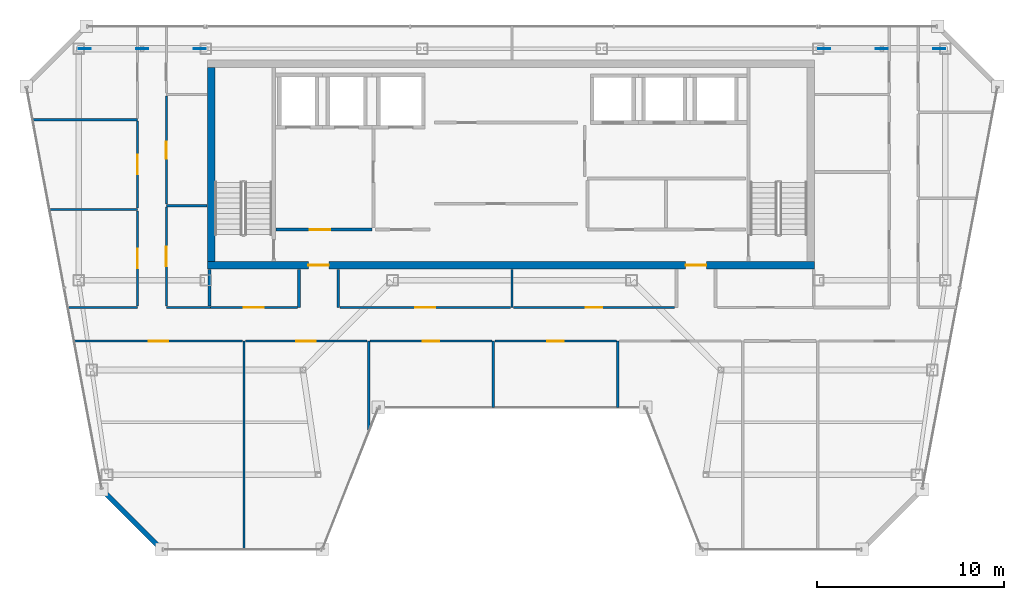
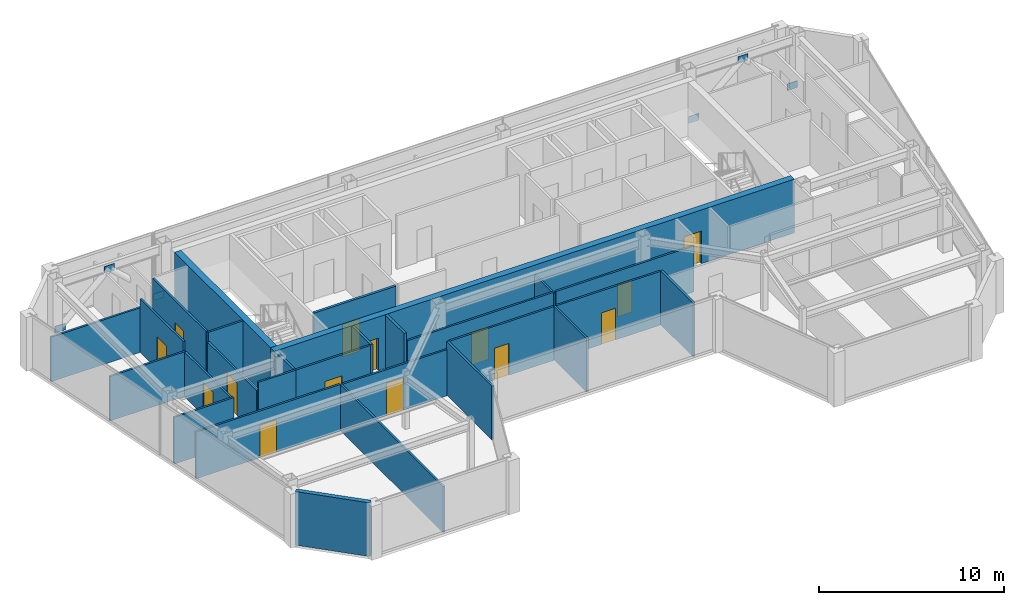
# One storey, part 18 of 23: 28 walls, 14 doors, 6 plates, 14 openings.
"""IFC4 building model written with IfcOpenShell, lengths in metres."""

from ifc_helpers import new_model, si_unit, direction, frame, frame_2d, origin, origin_2d, place, context, subcontext, project, spatial, rectangle, extrude, material, layer, layer_set, type_object, element, fill, save


model = new_model("IFC4")

# Units and contexts
model_context = context("Model", 3, precision=1e-05, world=origin(), true_north=direction((0.0, 1.0)))
body_context = subcontext(model_context, "Body", "Model", "MODEL_VIEW")
ifc_project = project(units=[si_unit("LENGTHUNIT", "METRE"), si_unit("AREAUNIT", "SQUARE_METRE"), si_unit("VOLUMEUNIT", "CUBIC_METRE"), si_unit("PLANEANGLEUNIT", "RADIAN"), si_unit("MASSUNIT", "GRAM", prefix="KILO")], contexts=[model_context])

# Site, building, storey
site_placement = place(None, origin())
site = spatial("IfcSite", under=ifc_project, at=site_placement, CompositionType="ELEMENT")
building_placement = place(site_placement, origin())
building = spatial("IfcBuilding", under=site, at=building_placement, Name="Saevonmaru Cultural Tower", CompositionType="ELEMENT")
storey_placement = place(building_placement, frame((0.0, 0.0, 280.0)))
storey = spatial("IfcBuildingStorey", under=building, at=storey_placement, Name="L66", CompositionType="ELEMENT", Elevation=280.0)

# Plates
ifc_material_1 = material(Name="Steel HSA600 (600 MPa)", Category="steel")
ifc_layer_1 = layer(ifc_material_1, 0.0400390625, Name="Steel HSA600 (600 MPa)")
ifc_layer_set_1 = layer_set([ifc_layer_1], Name="Steel HSA600 (600 MPa)")
plate_type = type_object("IfcPlateType", Name="PL-GUSSET-EXT", PredefinedType="USERDEFINED", material=ifc_layer_set_1)
for number, where, z_axis, x_axis, name in (
    (1, (10.199951171875, 54.800048828125, 2.900146484375), (0.0, 0.0, 1.0), (1.0, 0.0, 0.0), "L66 Perimeter Tube Gusset Plate"),
    (2, (7.1201171875, 54.800048828125, 0.02001953125), (0.0, 0.0, 1.0), (1.0, 0.0, 0.0), "L66 Perimeter Tube Gusset Plate"),
    (3, (13.280029296875, 54.800048828125, 0.02001953125), (0.0, 0.0, 1.0), (1.0, 0.0, 0.0), "L66 Perimeter Tube Gusset Plate"),
    (4, (49.800048828125, 54.800048828125, 2.900146484375), (0.0, 0.0, 1.0), (1.0, 0.0, 0.0), "L66 Perimeter Tube Gusset Plate"),
    (5, (46.719970703125, 54.800048828125, 0.02001953125), (0.0, 0.0, 1.0), (1.0, 0.0, 0.0), "L66 Perimeter Tube Gusset Plate"),
    (6, (52.8798828125, 54.800048828125, 0.02001953125), (0.0, 0.0, 1.0), (1.0, 0.0, 0.0), "L66 Perimeter Tube Gusset Plate"),
):
    element("IfcPlate", number, at=place(storey_placement, frame(where, z_axis=z_axis, x_axis=x_axis)), inside=storey, type_object=plate_type, Name=name, ObjectType="GUSSET_PLATE", PredefinedType="USERDEFINED", context=body_context, shape_type="SweptSolid", body=[
        extrude(rectangle(XDim=0.639892578125, YDim=0.0400390625, at=origin_2d()), origin(), (0.0, 0.0, 1.0), 0.43994140625),
    ])

# Wall, openings, doors
ifc_material_2 = material(Name="Concrete C50/60", Category="concrete")
ifc_layer_2 = layer(ifc_material_2, 0.39990234375, Name="Concrete C50/60")
ifc_layer_set_2 = layer_set([ifc_layer_2], Name="Concrete C50/60")
wall_type_1 = type_object("IfcWallType", Name="WL-CORE-400", PredefinedType="SHEAR", material=ifc_layer_set_2)
wall_1_placement = place(storey_placement, frame((13.699951171875, 43.199951171875, 0.0), z_axis=(0.0, 0.0, 1.0), x_axis=(1.0, 0.0, 0.0)))
wall_1 = element("IfcWall", 7, at=wall_1_placement, inside=storey, type_object=wall_type_1, Name="L66 Tower RC core shear wall S", PredefinedType="SHEAR", context=body_context, shape_type="SweptSolid", body=[
    extrude(rectangle(XDim=32.5, YDim=0.39990234375, at=frame_2d((16.25, 0.0))), origin(), (0.0, 0.0, 1.0), 3.550048828125),
])
opening_1_placement = place(wall_1_placement, frame((5.39990234375, 0.0, 0.0)))
opening_1 = element("IfcOpeningElement", 8, at=opening_1_placement, cuts=wall_1, Name="Opening FD-2", PredefinedType="OPENING", context=body_context, shape_type="SweptSolid", body=[
    extrude(rectangle(XDim=1.10009765625, YDim=2.14990234375, at=frame_2d((0.550048828125, 1.074951171875))), frame((0.0, 0.2099609375, 0.0), z_axis=(0.0, -1.0, 0.0), x_axis=(1.0, 0.0, 0.0)), (0.0, 0.0, 1.0), 0.419921875),
])
opening_2_placement = place(wall_1_placement, frame((25.60009765625, 0.0, 0.0)))
opening_2 = element("IfcOpeningElement", 9, at=opening_2_placement, cuts=wall_1, Name="Opening FD-2", PredefinedType="OPENING", context=body_context, shape_type="SweptSolid", body=[
    extrude(rectangle(XDim=1.10009765625, YDim=2.14990234375, at=frame_2d((0.550048828125, 1.074951171875))), frame((0.0, 0.2099609375, 0.0), z_axis=(0.0, -1.0, 0.0), x_axis=(1.0, 0.0, 0.0)), (0.0, 0.0, 1.0), 0.419921875),
])
ifc_material_3 = material(Name="Satin Bronze Anodised Aluminium", Category="aluminium")
door_type_1 = type_object("IfcDoorType", Name="DR-FD60-1100", OperationType="SINGLE_SWING_LEFT", PredefinedType="DOOR", material=ifc_material_3)
door_1_placement = place(opening_1_placement, origin())
door_1 = element("IfcDoor", 10, at=door_1_placement, inside=storey, type_object=door_type_1, Name="L66 Core West Lobby Fire Door", OperationType="SINGLE_SWING_LEFT", OverallHeight=2.14990234375, OverallWidth=1.10009765625, PredefinedType="DOOR", context=body_context, shape_type="SweptSolid", body=[
    extrude(rectangle(XDim=1.10009765625, YDim=2.14990234375, at=frame_2d((0.550048828125, 1.074951171875))), frame((0.0, 0.02490234375, 0.0), z_axis=(0.0, -1.0, 0.0), x_axis=(1.0, 0.0, 0.0)), (0.0, 0.0, 1.0), 0.050048828125),
])
fill(opening_1, door_1)
door_2_placement = place(opening_2_placement, origin())
door_2 = element("IfcDoor", 11, at=door_2_placement, inside=storey, type_object=door_type_1, Name="L66 Core East Lobby Fire Door", OperationType="SINGLE_SWING_LEFT", OverallHeight=2.14990234375, OverallWidth=1.10009765625, PredefinedType="DOOR", context=body_context, shape_type="SweptSolid", body=[
    extrude(rectangle(XDim=1.10009765625, YDim=2.14990234375, at=frame_2d((0.550048828125, 1.074951171875))), frame((0.0, 0.02490234375, 0.0), z_axis=(0.0, -1.0, 0.0), x_axis=(1.0, 0.0, 0.0)), (0.0, 0.0, 1.0), 0.050048828125),
])
fill(opening_2, door_2)

# Wall
wall_2_placement = place(storey_placement, frame((13.89990234375, 43.39990234375, 0.0), z_axis=(0.0, 0.0, 1.0), x_axis=(0.0, 1.0, 0.0)))
element("IfcWall", 12, at=wall_2_placement, inside=storey, type_object=wall_type_1, Name="L66 Tower RC core shear wall W", PredefinedType="SHEAR", context=body_context, shape_type="SweptSolid", body=[
    extrude(rectangle(XDim=10.400146484375, YDim=0.39990234375, at=frame_2d((5.2001953125, 0.0))), origin(), (0.0, 0.0, 1.0), 3.550048828125),
])

# Wall, opening, door
ifc_material_4 = material(Name="Gypsum Fireboard Partition", Category="gypsum")
ifc_layer_3 = layer(ifc_material_4, 0.14990234375, Name="Gypsum Fireboard Partition")
ifc_layer_set_3 = layer_set([ifc_layer_3], Name="Gypsum Fireboard Partition")
wall_type_2 = type_object("IfcWallType", Name="WL-CORE-PART-150", PredefinedType="PARTITIONING", material=ifc_layer_set_3)
wall_3_placement = place(storey_placement, frame((17.360107421875, 45.1201171875, 0.0), z_axis=(0.0, 0.0, 1.0), x_axis=(1.0, 0.0, 0.0)))
wall_3 = element("IfcWall", 13, at=wall_3_placement, inside=storey, type_object=wall_type_2, Name="L66 Firefighting Lift Lobby South Wall", PredefinedType="PARTITIONING", context=body_context, shape_type="SweptSolid", body=[
    extrude(rectangle(XDim=5.139892578125, YDim=0.14990234375, at=frame_2d((2.56982421875, 0.0))), origin(), (0.0, 0.0, 1.0), 3.550048828125),
])
opening_3_placement = place(wall_3_placement, frame((1.800048828125, 0.0, 0.0)))
opening_3 = element("IfcOpeningElement", 14, at=opening_3_placement, cuts=wall_3, Name="Opening FD-2", PredefinedType="OPENING", context=body_context, shape_type="SweptSolid", body=[
    extrude(rectangle(XDim=1.10009765625, YDim=2.14990234375, at=frame_2d((0.550048828125, 1.074951171875))), frame((0.0, 0.0849609375, 0.0), z_axis=(0.0, -1.0, 0.0), x_axis=(1.0, 0.0, 0.0)), (0.0, 0.0, 1.0), 0.169921875),
])
door_3_placement = place(opening_3_placement, origin())
door_3 = element("IfcDoor", 15, at=door_3_placement, inside=storey, type_object=door_type_1, Name="L66 Firefighting Lift Lobby South Door", OperationType="SINGLE_SWING_LEFT", OverallHeight=2.14990234375, OverallWidth=1.10009765625, PredefinedType="DOOR", context=body_context, shape_type="SweptSolid", body=[
    extrude(rectangle(XDim=1.10009765625, YDim=2.14990234375, at=frame_2d((0.550048828125, 1.074951171875))), frame((0.0, 0.02490234375, 0.0), z_axis=(0.0, -1.0, 0.0), x_axis=(1.0, 0.0, 0.0)), (0.0, 0.0, 1.0), 0.050048828125),
])
fill(opening_3, door_3)

# Walls
ifc_material_5 = material(Name="Granite-Clad Precast Concrete C40/50", Category="masonry")
ifc_layer_4 = layer(ifc_material_5, 0.260009765625, Name="Granite-Clad Precast Concrete C40/50")
ifc_layer_set_4 = layer_set([ifc_layer_4], Name="Granite-Clad Precast Concrete C40/50")
wall_type_3 = type_object("IfcWallType", Name="WL-EXT-SPANDREL-260", PredefinedType="STANDARD", material=ifc_layer_set_4)
wall_4_placement = place(storey_placement, frame((8.157470703125, 31.0869140625, 0.0), z_axis=(0.0, 0.0, 1.0), x_axis=(0.707106781187, -0.707106781187, 0.0)))
element("IfcWall", 16, at=wall_4_placement, inside=storey, type_object=wall_type_3, Name="L66 Chamfer Corner Spandrel Wall E1", PredefinedType="STANDARD", context=body_context, shape_type="SweptSolid", body=[
    extrude(rectangle(XDim=4.205810546875, YDim=0.260009765625, at=frame_2d((2.10302734375, 0.0))), origin(), (0.0, 0.0, 1.0), 3.550048828125),
])
ifc_layer_5 = layer(ifc_material_4, 0.14990234375, Name="Gypsum Fireboard Partition")
ifc_layer_set_5 = layer_set([ifc_layer_5], Name="Gypsum Fireboard Partition")
wall_type_4 = type_object("IfcWallType", Name="WL-PART-FIRE-150", PredefinedType="PARTITIONING", material=ifc_layer_set_5)
wall_5_placement = place(storey_placement, frame((13.800048828125, 41.030029296875, 0.0), z_axis=(0.0, 0.0, 1.0), x_axis=(0.0, 1.0, 0.0)))
element("IfcWall", 17, at=wall_5_placement, inside=storey, type_object=wall_type_4, Name="L66 Core Portal Side Wall W0", PredefinedType="PARTITIONING", context=body_context, shape_type="SweptSolid", body=[
    extrude(rectangle(XDim=1.949951171875, YDim=0.14990234375, at=frame_2d((0.97509765625, 0.0))), origin(), (0.0, 0.0, 1.0), 3.550048828125),
])
for number, where, z_axis, x_axis, name in (
    (18, (18.60009765625, 40.949951171875, 0.0), (0.0, 0.0, 1.0), (0.0, 1.0, 0.0), "L66 Core Portal Side Wall W1"),
    (19, (20.699951171875, 40.949951171875, 0.0), (0.0, 0.0, 1.0), (0.0, 1.0, 0.0), "L66 Core Portal Side Wall W2"),
):
    element("IfcWall", number, at=place(storey_placement, frame(where, z_axis=z_axis, x_axis=x_axis)), inside=storey, type_object=wall_type_4, Name=name, PredefinedType="PARTITIONING", context=body_context, shape_type="SweptSolid", body=[
        extrude(rectangle(XDim=2.030029296875, YDim=0.14990234375, at=frame_2d((1.01513671875, 0.0))), origin(), (0.0, 0.0, 1.0), 3.550048828125),
    ])
ifc_layer_6 = layer(ifc_material_4, 0.1201171875, Name="Gypsum Fireboard Partition")
ifc_layer_set_6 = layer_set([ifc_layer_6], Name="Gypsum Fireboard Partition")
wall_type_5 = type_object("IfcWallType", Name="WL-PART-GYP-120", PredefinedType="PARTITIONING", material=ifc_layer_set_6)
wall_6_placement = place(storey_placement, frame((6.223876953125, 40.949951171875, 0.0), z_axis=(0.0, 0.0, 1.0), x_axis=(1.0, 0.0, 0.0)))
element("IfcWall", 20, at=wall_6_placement, inside=storey, type_object=wall_type_5, Name="L66 NW Wing South Wall", PredefinedType="PARTITIONING", context=body_context, shape_type="SweptSolid", body=[
    extrude(rectangle(XDim=3.72607421875, YDim=0.1201171875, at=frame_2d((1.863037109375, 0.0))), origin(), (0.0, 0.0, 1.0), 3.0849609375),
])
wall_7_placement = place(storey_placement, frame((11.5, 40.949951171875, 0.0), z_axis=(0.0, 0.0, 1.0), x_axis=(1.0, 0.0, 0.0)))
element("IfcWall", 21, at=wall_7_placement, inside=storey, type_object=wall_type_5, Name="L66 NW Inner South Wall", PredefinedType="PARTITIONING", context=body_context, shape_type="SweptSolid", body=[
    extrude(rectangle(XDim=2.35009765625, YDim=0.1201171875, at=frame_2d((1.175048828125, 0.0))), origin(), (0.0, 0.0, 1.0), 3.550048828125),
])
wall_8_placement = place(storey_placement, frame((5.240966796875, 46.199951171875, 0.0), z_axis=(0.0, 0.0, 1.0), x_axis=(1.0, 0.0, 0.0)))
element("IfcWall", 22, at=wall_8_placement, inside=storey, type_object=wall_type_5, Name="L66 NW Studio Divider 1", PredefinedType="PARTITIONING", context=body_context, shape_type="SweptSolid", body=[
    extrude(rectangle(XDim=4.708984375, YDim=0.1201171875, at=frame_2d((2.3544921875, 0.0))), origin(), (0.0, 0.0, 1.0), 2.947021484375),
])
wall_9_placement = place(storey_placement, frame((4.342041015625, 51.0, 0.0), z_axis=(0.0, 0.0, 1.0), x_axis=(1.0, 0.0, 0.0)))
element("IfcWall", 23, at=wall_9_placement, inside=storey, type_object=wall_type_5, Name="L66 NW Studio Divider 2", PredefinedType="PARTITIONING", context=body_context, shape_type="SweptSolid", body=[
    extrude(rectangle(XDim=5.60791015625, YDim=0.1201171875, at=frame_2d((2.803955078125, 0.0))), origin(), (0.0, 0.0, 1.0), 2.947021484375),
])

# Wall, opening, door
wall_10_placement = place(storey_placement, frame((9.949951171875, 41.030029296875, 0.0), z_axis=(0.0, 0.0, 1.0), x_axis=(0.0, 1.0, 0.0)))
wall_10 = element("IfcWall", 24, at=wall_10_placement, inside=storey, type_object=wall_type_5, Name="L66 Rare Folio Reading Room Corridor Wall", PredefinedType="PARTITIONING", context=body_context, shape_type="SweptSolid", body=[
    extrude(rectangle(XDim=5.090087890625, YDim=0.1201171875, at=frame_2d((2.544921875, 0.0))), origin(), (0.0, 0.0, 1.0), 2.947021484375),
])
opening_4_placement = place(wall_10_placement, frame((2.02001953125, 0.0, 0.0)))
opening_4 = element("IfcOpeningElement", 25, at=opening_4_placement, cuts=wall_10, Name="Opening ID-1", PredefinedType="OPENING", context=body_context, shape_type="SweptSolid", body=[
    extrude(rectangle(XDim=1.050048828125, YDim=2.14990234375, at=frame_2d((0.52490234375, 1.074951171875))), frame((0.0, 0.070068359375, 0.0), z_axis=(0.0, -1.0, 0.0), x_axis=(1.0, 0.0, 0.0)), (0.0, 0.0, 1.0), 0.14013671875),
])
door_type_2 = type_object("IfcDoorType", Name="DR-INT-1050", OperationType="SINGLE_SWING_LEFT", PredefinedType="DOOR", material=ifc_material_3)
door_4_placement = place(opening_4_placement, origin())
door_4 = element("IfcDoor", 26, at=door_4_placement, inside=storey, type_object=door_type_2, Name="L66 Rare Folio Reading Room Door", OperationType="SINGLE_SWING_RIGHT", OverallHeight=2.14990234375, OverallWidth=1.050048828125, PredefinedType="DOOR", context=body_context, shape_type="SweptSolid", body=[
    extrude(rectangle(XDim=1.050048828125, YDim=2.14990234375, at=frame_2d((0.52490234375, 1.074951171875))), frame((0.0, 0.02490234375, 0.0), z_axis=(0.0, -1.0, 0.0), x_axis=(1.0, 0.0, 0.0)), (0.0, 0.0, 1.0), 0.050048828125),
])
fill(opening_4, door_4)

wall_11_placement = place(storey_placement, frame((9.949951171875, 46.280029296875, 0.0), z_axis=(0.0, 0.0, 1.0), x_axis=(0.0, 1.0, 0.0)))
wall_11 = element("IfcWall", 27, at=wall_11_placement, inside=storey, type_object=wall_type_5, Name="L66 Art History Reading Room Corridor Wall", PredefinedType="PARTITIONING", context=body_context, shape_type="SweptSolid", body=[
    extrude(rectangle(XDim=4.639892578125, YDim=0.1201171875, at=frame_2d((2.31982421875, 0.0))), origin(), (0.0, 0.0, 1.0), 3.550048828125),
])
opening_5_placement = place(wall_11_placement, frame((1.794921875, 0.0, 0.0)))
opening_5 = element("IfcOpeningElement", 28, at=opening_5_placement, cuts=wall_11, Name="Opening ID-1", PredefinedType="OPENING", context=body_context, shape_type="SweptSolid", body=[
    extrude(rectangle(XDim=1.050048828125, YDim=2.14990234375, at=frame_2d((0.52490234375, 1.074951171875))), frame((0.0, 0.070068359375, 0.0), z_axis=(0.0, -1.0, 0.0), x_axis=(1.0, 0.0, 0.0)), (0.0, 0.0, 1.0), 0.14013671875),
])
door_5_placement = place(opening_5_placement, origin())
door_5 = element("IfcDoor", 29, at=door_5_placement, inside=storey, type_object=door_type_2, Name="L66 Art History Reading Room Door", OperationType="SINGLE_SWING_LEFT", OverallHeight=2.14990234375, OverallWidth=1.050048828125, PredefinedType="DOOR", context=body_context, shape_type="SweptSolid", body=[
    extrude(rectangle(XDim=1.050048828125, YDim=2.14990234375, at=frame_2d((0.52490234375, 1.074951171875))), frame((0.0, 0.02490234375, 0.0), z_axis=(0.0, -1.0, 0.0), x_axis=(1.0, 0.0, 0.0)), (0.0, 0.0, 1.0), 0.050048828125),
])
fill(opening_5, door_5)

# Wall
wall_12_placement = place(storey_placement, frame((11.5, 46.39990234375, 0.0), z_axis=(0.0, 0.0, 1.0), x_axis=(1.0, 0.0, 0.0)))
element("IfcWall", 30, at=wall_12_placement, inside=storey, type_object=wall_type_5, Name="L66 NW Inner Divider", PredefinedType="PARTITIONING", context=body_context, shape_type="SweptSolid", body=[
    extrude(rectangle(XDim=2.179931640625, YDim=0.1201171875, at=frame_2d((1.08984375, 0.0))), origin(), (0.0, 0.0, 1.0), 3.550048828125),
])

# Wall, opening, door
wall_13_placement = place(storey_placement, frame((11.5, 41.030029296875, 0.0), z_axis=(0.0, 0.0, 1.0), x_axis=(0.0, 1.0, 0.0)))
wall_13 = element("IfcWall", 31, at=wall_13_placement, inside=storey, type_object=wall_type_5, Name="L66 Art History Reading Room Corridor Wall", PredefinedType="PARTITIONING", context=body_context, shape_type="SweptSolid", body=[
    extrude(rectangle(XDim=5.2900390625, YDim=0.1201171875, at=frame_2d((2.64501953125, 0.0))), origin(), (0.0, 0.0, 1.0), 2.947021484375),
])
opening_6_placement = place(wall_13_placement, frame((2.1201171875, 0.0, 0.0)))
opening_6 = element("IfcOpeningElement", 32, at=opening_6_placement, cuts=wall_13, Name="Opening ID-1", PredefinedType="OPENING", context=body_context, shape_type="SweptSolid", body=[
    extrude(rectangle(XDim=1.050048828125, YDim=2.14990234375, at=frame_2d((0.52490234375, 1.074951171875))), frame((0.0, 0.070068359375, 0.0), z_axis=(0.0, -1.0, 0.0), x_axis=(1.0, 0.0, 0.0)), (0.0, 0.0, 1.0), 0.14013671875),
])
door_6_placement = place(opening_6_placement, origin())
door_6 = element("IfcDoor", 33, at=door_6_placement, inside=storey, type_object=door_type_2, Name="L66 Art History Reading Room Door", OperationType="SINGLE_SWING_LEFT", OverallHeight=2.14990234375, OverallWidth=1.050048828125, PredefinedType="DOOR", context=body_context, shape_type="SweptSolid", body=[
    extrude(rectangle(XDim=1.050048828125, YDim=2.14990234375, at=frame_2d((0.52490234375, 1.074951171875))), frame((0.0, 0.02490234375, 0.0), z_axis=(0.0, -1.0, 0.0), x_axis=(1.0, 0.0, 0.0)), (0.0, 0.0, 1.0), 0.050048828125),
])
fill(opening_6, door_6)

wall_14_placement = place(storey_placement, frame((11.5, 46.47998046875, 0.0), z_axis=(0.0, 0.0, 1.0), x_axis=(0.0, 1.0, 0.0)))
wall_14 = element("IfcWall", 34, at=wall_14_placement, inside=storey, type_object=wall_type_5, Name="L66 Typography Design Classroom Corridor Wall", PredefinedType="PARTITIONING", context=body_context, shape_type="SweptSolid", body=[
    extrude(rectangle(XDim=5.7900390625, YDim=0.1201171875, at=frame_2d((2.89501953125, 0.0))), origin(), (0.0, 0.0, 1.0), 3.550048828125),
])
opening_7_placement = place(wall_14_placement, frame((2.445068359375, 0.0, 0.0)))
opening_7 = element("IfcOpeningElement", 35, at=opening_7_placement, cuts=wall_14, Name="Opening ID-2", PredefinedType="OPENING", context=body_context, shape_type="SweptSolid", body=[
    extrude(rectangle(XDim=0.89990234375, YDim=2.10009765625, at=frame_2d((0.449951171875, 1.050048828125))), frame((0.0, 0.070068359375, 0.0), z_axis=(0.0, -1.0, 0.0), x_axis=(1.0, 0.0, 0.0)), (0.0, 0.0, 1.0), 0.14013671875),
])
ifc_material_6 = material(Name="Acoustic Stained Oak Timber", Category="wood")
door_type_3 = type_object("IfcDoorType", Name="DR-INT-900", OperationType="SINGLE_SWING_RIGHT", PredefinedType="DOOR", material=ifc_material_6)
door_7_placement = place(opening_7_placement, origin())
door_7 = element("IfcDoor", 36, at=door_7_placement, inside=storey, type_object=door_type_3, Name="L66 Typography Design Classroom Door", OperationType="SINGLE_SWING_RIGHT", OverallHeight=2.10009765625, OverallWidth=0.89990234375, PredefinedType="DOOR", context=body_context, shape_type="SweptSolid", body=[
    extrude(rectangle(XDim=0.89990234375, YDim=2.10009765625, at=frame_2d((0.449951171875, 1.050048828125))), frame((0.0, 0.02490234375, 0.0), z_axis=(0.0, -1.0, 0.0), x_axis=(1.0, 0.0, 0.0)), (0.0, 0.0, 1.0), 0.050048828125),
])
fill(opening_7, door_7)

wall_15_placement = place(storey_placement, frame((13.85009765625, 40.949951171875, 0.0), z_axis=(0.0, 0.0, 1.0), x_axis=(1.0, 0.0, 0.0)))
wall_15 = element("IfcWall", 37, at=wall_15_placement, inside=storey, type_object=wall_type_5, Name="L66 Rare Folio Reading Room Corridor Wall", PredefinedType="PARTITIONING", context=body_context, shape_type="SweptSolid", body=[
    extrude(rectangle(XDim=4.65478515625, YDim=0.1201171875, at=frame_2d((2.327392578125, 0.0))), origin(), (0.0, 0.0, 1.0), 3.550048828125),
])
opening_8_placement = place(wall_15_placement, frame((1.802001953125, 0.0, 0.0)))
opening_8 = element("IfcOpeningElement", 38, at=opening_8_placement, cuts=wall_15, Name="Opening ID-1", PredefinedType="OPENING", context=body_context, shape_type="SweptSolid", body=[
    extrude(rectangle(XDim=1.050048828125, YDim=2.14990234375, at=frame_2d((0.52490234375, 1.074951171875))), frame((0.0, 0.070068359375, 0.0), z_axis=(0.0, -1.0, 0.0), x_axis=(1.0, 0.0, 0.0)), (0.0, 0.0, 1.0), 0.14013671875),
])
door_8_placement = place(opening_8_placement, origin())
door_8 = element("IfcDoor", 39, at=door_8_placement, inside=storey, type_object=door_type_2, Name="L66 Rare Folio Reading Room Door", OperationType="SINGLE_SWING_RIGHT", OverallHeight=2.14990234375, OverallWidth=1.050048828125, PredefinedType="DOOR", context=body_context, shape_type="SweptSolid", body=[
    extrude(rectangle(XDim=1.050048828125, YDim=2.14990234375, at=frame_2d((0.52490234375, 1.074951171875))), frame((0.0, 0.02490234375, 0.0), z_axis=(0.0, -1.0, 0.0), x_axis=(1.0, 0.0, 0.0)), (0.0, 0.0, 1.0), 0.050048828125),
])
fill(opening_8, door_8)

# Wall
wall_16_placement = place(storey_placement, frame((30.0, 40.949951171875, 0.0), z_axis=(0.0, 0.0, 1.0), x_axis=(0.0, 1.0, 0.0)))
element("IfcWall", 40, at=wall_16_placement, inside=storey, type_object=wall_type_5, Name="L66 Spine Alcove Split", PredefinedType="PARTITIONING", context=body_context, shape_type="SweptSolid", body=[
    extrude(rectangle(XDim=2.030029296875, YDim=0.1201171875, at=frame_2d((1.01513671875, 0.0))), origin(), (0.0, 0.0, 1.0), 2.947021484375),
])

# Wall, opening, door
wall_17_placement = place(storey_placement, frame((20.794921875, 40.949951171875, 0.0), z_axis=(0.0, 0.0, 1.0), x_axis=(1.0, 0.0, 0.0)))
wall_17 = element("IfcWall", 41, at=wall_17_placement, inside=storey, type_object=wall_type_5, Name="L66 Rare Folio Reading Room Corridor Wall", PredefinedType="PARTITIONING", context=body_context, shape_type="SweptSolid", body=[
    extrude(rectangle(XDim=9.125, YDim=0.1201171875, at=frame_2d((4.5625, 0.0))), origin(), (0.0, 0.0, 1.0), 3.047119140625),
])
opening_9_placement = place(wall_17_placement, frame((4.037109375, 0.0, 0.0)))
opening_9 = element("IfcOpeningElement", 42, at=opening_9_placement, cuts=wall_17, Name="Opening ID-1", PredefinedType="OPENING", context=body_context, shape_type="SweptSolid", body=[
    extrude(rectangle(XDim=1.050048828125, YDim=2.14990234375, at=frame_2d((0.52490234375, 1.074951171875))), frame((0.0, 0.070068359375, 0.0), z_axis=(0.0, -1.0, 0.0), x_axis=(1.0, 0.0, 0.0)), (0.0, 0.0, 1.0), 0.14013671875),
])
door_9_placement = place(opening_9_placement, origin())
door_9 = element("IfcDoor", 43, at=door_9_placement, inside=storey, type_object=door_type_2, Name="L66 Rare Folio Reading Room Door", OperationType="SINGLE_SWING_LEFT", OverallHeight=2.14990234375, OverallWidth=1.050048828125, PredefinedType="DOOR", context=body_context, shape_type="SweptSolid", body=[
    extrude(rectangle(XDim=1.050048828125, YDim=2.14990234375, at=frame_2d((0.52490234375, 1.074951171875))), frame((0.0, 0.02490234375, 0.0), z_axis=(0.0, -1.0, 0.0), x_axis=(1.0, 0.0, 0.0)), (0.0, 0.0, 1.0), 0.050048828125),
])
fill(opening_9, door_9)

wall_18_placement = place(storey_placement, frame((30.080078125, 40.949951171875, 0.0), z_axis=(0.0, 0.0, 1.0), x_axis=(1.0, 0.0, 0.0)))
wall_18 = element("IfcWall", 44, at=wall_18_placement, inside=storey, type_object=wall_type_5, Name="L66 Curatorial Board Meeting Room Corridor Wall", PredefinedType="PARTITIONING", context=body_context, shape_type="SweptSolid", body=[
    extrude(rectangle(XDim=8.625, YDim=0.1201171875, at=frame_2d((4.3125, 0.0))), origin(), (0.0, 0.0, 1.0), 3.047119140625),
])
opening_10_placement = place(wall_18_placement, frame((3.862060546875, 0.0, 0.0)))
opening_10 = element("IfcOpeningElement", 45, at=opening_10_placement, cuts=wall_18, Name="Opening ID-2", PredefinedType="OPENING", context=body_context, shape_type="SweptSolid", body=[
    extrude(rectangle(XDim=0.89990234375, YDim=2.10009765625, at=frame_2d((0.449951171875, 1.050048828125))), frame((0.0, 0.070068359375, 0.0), z_axis=(0.0, -1.0, 0.0), x_axis=(1.0, 0.0, 0.0)), (0.0, 0.0, 1.0), 0.14013671875),
])
door_10_placement = place(opening_10_placement, origin())
door_10 = element("IfcDoor", 46, at=door_10_placement, inside=storey, type_object=door_type_3, Name="L66 Curatorial Board Meeting Room Door", OperationType="SINGLE_SWING_RIGHT", OverallHeight=2.10009765625, OverallWidth=0.89990234375, PredefinedType="DOOR", context=body_context, shape_type="SweptSolid", body=[
    extrude(rectangle(XDim=0.89990234375, YDim=2.10009765625, at=frame_2d((0.449951171875, 1.050048828125))), frame((0.0, 0.02490234375, 0.0), z_axis=(0.0, -1.0, 0.0), x_axis=(1.0, 0.0, 0.0)), (0.0, 0.0, 1.0), 0.050048828125),
])
fill(opening_10, door_10)

# Walls
wall_19_placement = place(storey_placement, frame((15.64990234375, 28.0048828125, 0.0), z_axis=(0.0, 0.0, 1.0), x_axis=(0.0, 1.0, 0.0)))
element("IfcWall", 47, at=wall_19_placement, inside=storey, type_object=wall_type_5, Name="L66 Observatory Bay Divider 1", PredefinedType="PARTITIONING", context=body_context, shape_type="SweptSolid", body=[
    extrude(rectangle(XDim=11.14501953125, YDim=0.1201171875, at=frame_2d((5.572509765625, 0.0))), origin(), (0.0, 0.0, 1.0), 3.047119140625),
])
wall_20_placement = place(storey_placement, frame((29.0, 35.60498046875, 0.0), z_axis=(0.0, 0.0, 1.0), x_axis=(0.0, 1.0, 0.0)))
element("IfcWall", 48, at=wall_20_placement, inside=storey, type_object=wall_type_5, Name="L66 Observatory Bay Divider 3", PredefinedType="PARTITIONING", context=body_context, shape_type="SweptSolid", body=[
    extrude(rectangle(XDim=3.544921875, YDim=0.1201171875, at=frame_2d((1.7724609375, 0.0))), origin(), (0.0, 0.0, 1.0), 3.550048828125),
])

# Wall, opening, door
wall_21_placement = place(storey_placement, frame((6.560791015625, 39.14990234375, 0.0), z_axis=(0.0, 0.0, 1.0), x_axis=(1.0, 0.0, 0.0)))
wall_21 = element("IfcWall", 49, at=wall_21_placement, inside=storey, type_object=wall_type_5, Name="L66 Rare Folio Reading Room Corridor Wall", PredefinedType="PARTITIONING", context=body_context, shape_type="SweptSolid", body=[
    extrude(rectangle(XDim=9.00927734375, YDim=0.1201171875, at=frame_2d((4.504638671875, 0.0))), origin(), (0.0, 0.0, 1.0), 3.0849609375),
])
opening_11_placement = place(wall_21_placement, frame((3.97998046875, 0.0, 0.0)))
opening_11 = element("IfcOpeningElement", 50, at=opening_11_placement, cuts=wall_21, Name="Opening ID-1", PredefinedType="OPENING", context=body_context, shape_type="SweptSolid", body=[
    extrude(rectangle(XDim=1.050048828125, YDim=2.14990234375, at=frame_2d((0.52490234375, 1.074951171875))), frame((0.0, 0.070068359375, 0.0), z_axis=(0.0, -1.0, 0.0), x_axis=(1.0, 0.0, 0.0)), (0.0, 0.0, 1.0), 0.14013671875),
])
door_11_placement = place(opening_11_placement, origin())
door_11 = element("IfcDoor", 51, at=door_11_placement, inside=storey, type_object=door_type_2, Name="L66 Rare Folio Reading Room Door", OperationType="SINGLE_SWING_RIGHT", OverallHeight=2.14990234375, OverallWidth=1.050048828125, PredefinedType="DOOR", context=body_context, shape_type="SweptSolid", body=[
    extrude(rectangle(XDim=1.050048828125, YDim=2.14990234375, at=frame_2d((0.52490234375, 1.074951171875))), frame((0.0, 0.02490234375, 0.0), z_axis=(0.0, -1.0, 0.0), x_axis=(1.0, 0.0, 0.0)), (0.0, 0.0, 1.0), 0.050048828125),
])
fill(opening_11, door_11)

wall_22_placement = place(storey_placement, frame((15.72998046875, 39.14990234375, 0.0), z_axis=(0.0, 0.0, 1.0), x_axis=(1.0, 0.0, 0.0)))
wall_22 = element("IfcWall", 52, at=wall_22_placement, inside=storey, type_object=wall_type_5, Name="L66 Art History Reading Room Corridor Wall", PredefinedType="PARTITIONING", context=body_context, shape_type="SweptSolid", body=[
    extrude(rectangle(XDim=6.50244140625, YDim=0.1201171875, at=frame_2d((3.251220703125, 0.0))), origin(), (0.0, 0.0, 1.0), 3.047119140625),
])
opening_12_placement = place(wall_22_placement, frame((2.72607421875, 0.0, 0.0)))
opening_12 = element("IfcOpeningElement", 53, at=opening_12_placement, cuts=wall_22, Name="Opening ID-1", PredefinedType="OPENING", context=body_context, shape_type="SweptSolid", body=[
    extrude(rectangle(XDim=1.050048828125, YDim=2.14990234375, at=frame_2d((0.52490234375, 1.074951171875))), frame((0.0, 0.070068359375, 0.0), z_axis=(0.0, -1.0, 0.0), x_axis=(1.0, 0.0, 0.0)), (0.0, 0.0, 1.0), 0.14013671875),
])
door_12_placement = place(opening_12_placement, origin())
door_12 = element("IfcDoor", 54, at=door_12_placement, inside=storey, type_object=door_type_2, Name="L66 Art History Reading Room Door", OperationType="SINGLE_SWING_LEFT", OverallHeight=2.14990234375, OverallWidth=1.050048828125, PredefinedType="DOOR", context=body_context, shape_type="SweptSolid", body=[
    extrude(rectangle(XDim=1.050048828125, YDim=2.14990234375, at=frame_2d((0.52490234375, 1.074951171875))), frame((0.0, 0.02490234375, 0.0), z_axis=(0.0, -1.0, 0.0), x_axis=(1.0, 0.0, 0.0)), (0.0, 0.0, 1.0), 0.050048828125),
])
fill(opening_12, door_12)

wall_23_placement = place(storey_placement, frame((22.407470703125, 39.14990234375, 0.0), z_axis=(0.0, 0.0, 1.0), x_axis=(1.0, 0.0, 0.0)))
wall_23 = element("IfcWall", 55, at=wall_23_placement, inside=storey, type_object=wall_type_5, Name="L66 Typography Design Classroom Corridor Wall", PredefinedType="PARTITIONING", context=body_context, shape_type="SweptSolid", body=[
    extrude(rectangle(XDim=6.512451171875, YDim=0.1201171875, at=frame_2d((3.25634765625, 0.0))), origin(), (0.0, 0.0, 1.0), 3.550048828125),
])
opening_13_placement = place(wall_23_placement, frame((2.805908203125, 0.0, 0.0)))
opening_13 = element("IfcOpeningElement", 56, at=opening_13_placement, cuts=wall_23, Name="Opening ID-2", PredefinedType="OPENING", context=body_context, shape_type="SweptSolid", body=[
    extrude(rectangle(XDim=0.89990234375, YDim=2.10009765625, at=frame_2d((0.449951171875, 1.050048828125))), frame((0.0, 0.070068359375, 0.0), z_axis=(0.0, -1.0, 0.0), x_axis=(1.0, 0.0, 0.0)), (0.0, 0.0, 1.0), 0.14013671875),
])
door_13_placement = place(opening_13_placement, origin())
door_13 = element("IfcDoor", 57, at=door_13_placement, inside=storey, type_object=door_type_3, Name="L66 Typography Design Classroom Door", OperationType="SINGLE_SWING_RIGHT", OverallHeight=2.10009765625, OverallWidth=0.89990234375, PredefinedType="DOOR", context=body_context, shape_type="SweptSolid", body=[
    extrude(rectangle(XDim=0.89990234375, YDim=2.10009765625, at=frame_2d((0.449951171875, 1.050048828125))), frame((0.0, 0.02490234375, 0.0), z_axis=(0.0, -1.0, 0.0), x_axis=(1.0, 0.0, 0.0)), (0.0, 0.0, 1.0), 0.050048828125),
])
fill(opening_13, door_13)

wall_24_placement = place(storey_placement, frame((29.080078125, 39.14990234375, 0.0), z_axis=(0.0, 0.0, 1.0), x_axis=(1.0, 0.0, 0.0)))
wall_24 = element("IfcWall", 58, at=wall_24_placement, inside=storey, type_object=wall_type_5, Name="L66 Calligraphy Teaching Studio Corridor Wall", PredefinedType="PARTITIONING", context=body_context, shape_type="SweptSolid", body=[
    extrude(rectangle(XDim=6.50244140625, YDim=0.1201171875, at=frame_2d((3.251220703125, 0.0))), origin(), (0.0, 0.0, 1.0), 3.550048828125),
])
opening_14_placement = place(wall_24_placement, frame((2.801025390625, 0.0, 0.0)))
opening_14 = element("IfcOpeningElement", 59, at=opening_14_placement, cuts=wall_24, Name="Opening ID-2", PredefinedType="OPENING", context=body_context, shape_type="SweptSolid", body=[
    extrude(rectangle(XDim=0.89990234375, YDim=2.10009765625, at=frame_2d((0.449951171875, 1.050048828125))), frame((0.0, 0.070068359375, 0.0), z_axis=(0.0, -1.0, 0.0), x_axis=(1.0, 0.0, 0.0)), (0.0, 0.0, 1.0), 0.14013671875),
])
door_14_placement = place(opening_14_placement, origin())
door_14 = element("IfcDoor", 60, at=door_14_placement, inside=storey, type_object=door_type_3, Name="L66 Calligraphy Teaching Studio Door", OperationType="SINGLE_SWING_LEFT", OverallHeight=2.10009765625, OverallWidth=0.89990234375, PredefinedType="DOOR", context=body_context, shape_type="SweptSolid", body=[
    extrude(rectangle(XDim=0.89990234375, YDim=2.10009765625, at=frame_2d((0.449951171875, 1.050048828125))), frame((0.0, 0.02490234375, 0.0), z_axis=(0.0, -1.0, 0.0), x_axis=(1.0, 0.0, 0.0)), (0.0, 0.0, 1.0), 0.050048828125),
])
fill(opening_14, door_14)

# Walls
ifc_layer_7 = layer(ifc_material_4, 0.135009765625, Name="Gypsum Fireboard Partition")
ifc_layer_set_7 = layer_set([ifc_layer_7], Name="Gypsum Fireboard Partition")
wall_type_6 = type_object("IfcWallType", Name="WL-PART-GYP-135", PredefinedType="PARTITIONING", material=ifc_layer_set_7)
wall_25_placement = place(storey_placement, frame((22.320068359375, 34.28515625, 0.0), z_axis=(0.0, 0.0, 1.0), x_axis=(0.0, 1.0, 0.0)))
element("IfcWall", 61, at=wall_25_placement, inside=storey, type_object=wall_type_6, Name="L66 Observatory Bay Divider 2", PredefinedType="PARTITIONING", context=body_context, shape_type="SweptSolid", body=[
    extrude(rectangle(XDim=4.86474609375, YDim=0.135009765625, at=frame_2d((2.432373046875, 0.0))), origin(), (0.0, 0.0, 1.0), 3.550048828125),
])
wall_26_placement = place(storey_placement, frame((35.669921875, 35.60498046875, 0.0), z_axis=(0.0, 0.0, 1.0), x_axis=(0.0, 1.0, 0.0)))
element("IfcWall", 62, at=wall_26_placement, inside=storey, type_object=wall_type_6, Name="L66 Observatory Bay Divider 4", PredefinedType="PARTITIONING", context=body_context, shape_type="SweptSolid", body=[
    extrude(rectangle(XDim=3.544921875, YDim=0.135009765625, at=frame_2d((1.7724609375, 0.0))), origin(), (0.0, 0.0, 1.0), 3.550048828125),
])

save(model, "model.ifc")
